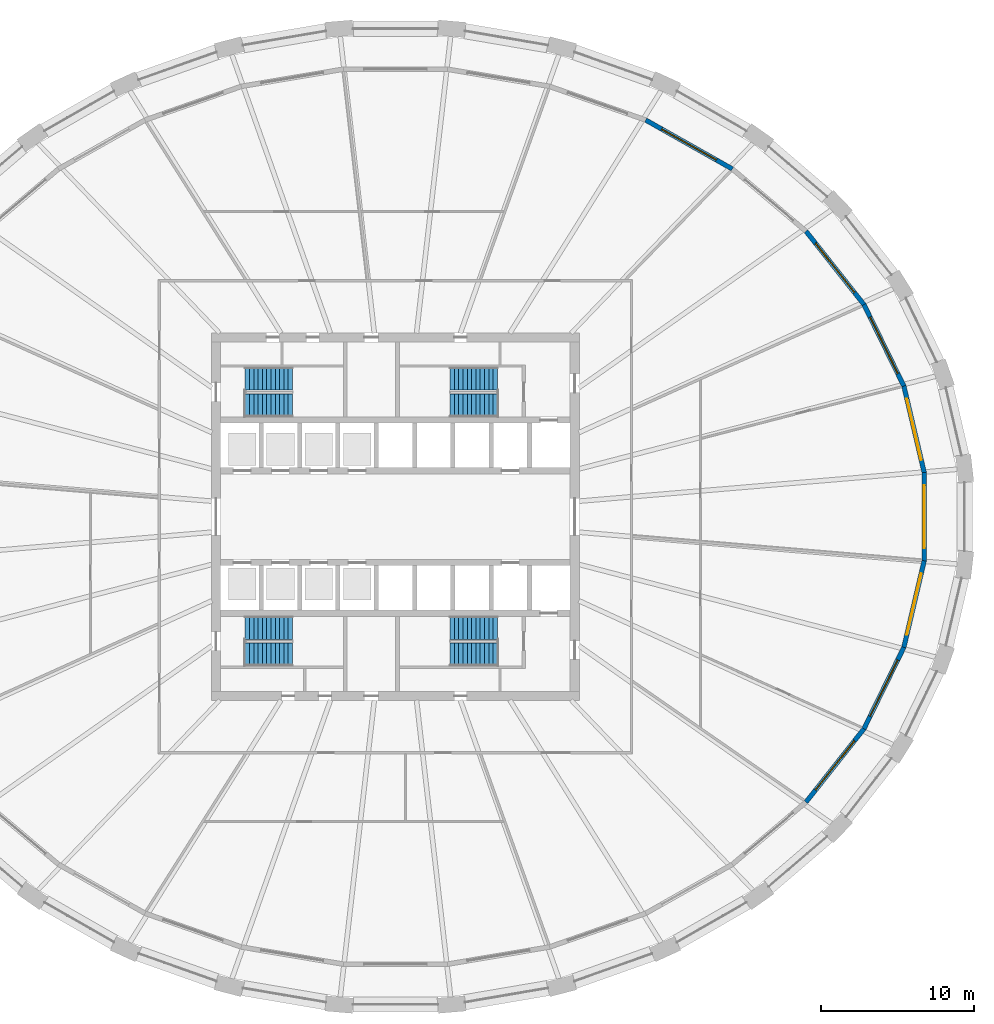
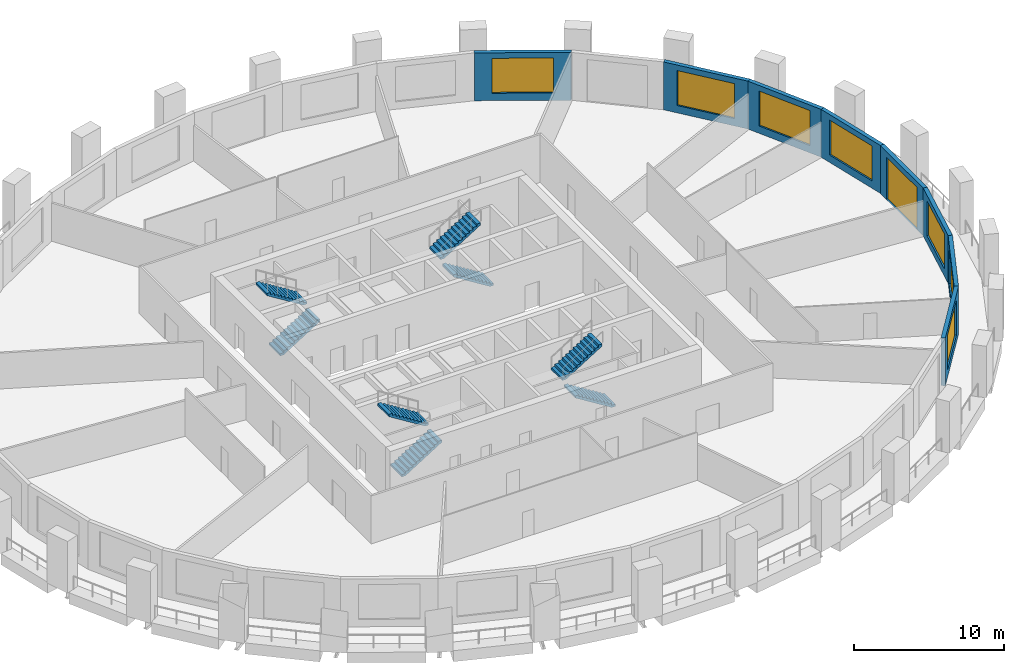
# One storey, part 7 of 10: 8 stair flights, 8 walls, 7 windows, 1 door, 8 openings, 4 elements without a shape of their own.
"""IFC4 building model written with IfcOpenShell, lengths in metres."""

from ifc_helpers import new_model, si_unit, direction, frame, frame_2d, origin, place, context, subcontext, project, spatial, polyline, rectangle, outline, extrude, material, layer, layer_set, type_object, element, fill, aggregate, save


model = new_model("IFC4")

# Units and contexts
model_context = context("Model", 3, precision=1e-05, world=origin(), true_north=direction((0.0, 1.0)))
body_context = subcontext(model_context, "Body", "Model", "MODEL_VIEW")
ifc_project = project(units=[si_unit("LENGTHUNIT", "METRE"), si_unit("AREAUNIT", "SQUARE_METRE"), si_unit("VOLUMEUNIT", "CUBIC_METRE"), si_unit("PLANEANGLEUNIT", "RADIAN"), si_unit("MASSUNIT", "GRAM", prefix="KILO")], contexts=[model_context])

# Site, building, storey
site_placement = place(None, origin())
site = spatial("IfcSite", under=ifc_project, at=site_placement, CompositionType="ELEMENT")
building_placement = place(site_placement, origin())
building = spatial("IfcBuilding", under=site, at=building_placement, Name="Halqa Exchange Tower", CompositionType="ELEMENT")
storey_placement = place(building_placement, frame((0.0, 0.0, 52.89990234375)))
storey = spatial("IfcBuildingStorey", under=building, at=storey_placement, Name="L11", CompositionType="ELEMENT", Elevation=52.89990234375)

# Wall, opening, window
ifc_material_1 = material(Name="Limestone cladding", Category="masonry")
ifc_layer_1 = layer(ifc_material_1, 0.0400390625)
ifc_material_2 = material(Name="Ventilated cavity")
ifc_layer_2 = layer(ifc_material_2, 0.030029296875, ventilated=True)
ifc_material_3 = material(Name="Mineral wool insulation")
ifc_layer_3 = layer(ifc_material_3, 0.10009765625)
ifc_material_4 = material(Name="Concrete C30/37", Category="concrete")
ifc_layer_4 = layer(ifc_material_4, 0.10009765625)
ifc_material_5 = material(Name="Internal plaster")
ifc_layer_5 = layer(ifc_material_5, 0.030029296875)
ifc_layer_set = layer_set([ifc_layer_1, ifc_layer_2, ifc_layer_3, ifc_layer_4, ifc_layer_5], Name="Stone-faced insulated wall 300")
wall_type = type_object("IfcWallType", Name="Stone-faced insulated wall 300", PredefinedType="STANDARD", material=ifc_layer_set)
wall_1_placement = place(storey_placement, frame((34.49951171875, 2.8779296875, 0.0), z_axis=(0.0, 0.0, 1.0), x_axis=(-0.228990053972, 0.973428762253, 0.0)))
wall_1 = element("IfcWall", 1, at=wall_1_placement, inside=storey, type_object=wall_type, Name="Glass-line wall 1", PredefinedType="STANDARD", context=body_context, shape_type="SweptSolid", body=[
    extrude(outline(polyline([(-0.017333984375, -0.14990234375), (5.815673828125, -0.14990234375), (5.781982421875, 0.14990234375), (0.017333984375, 0.14990234375), (-0.017333984375, -0.14990234375)])), origin(), (0.0, 0.0, 1.0), 3.900146484375),
])
opening_1_placement = place(wall_1_placement, frame((0.849365234375, 0.0, 0.60009765625)))
opening_1 = element("IfcOpeningElement", 2, at=opening_1_placement, cuts=wall_1, Name="Opening W-F1-01", PredefinedType="OPENING", context=body_context, shape_type="SweptSolid", body=[
    extrude(rectangle(XDim=4.10009765625, YDim=2.85009765625, at=frame_2d((2.050048828125, 1.425048828125))), frame((0.0, 0.162109375, 0.0), z_axis=(0.0, -1.0, 0.0), x_axis=(1.0, 0.0, 0.0)), (0.0, 0.0, 1.0), 0.323974609375),
])
ifc_material_6 = material(Name="Clear low-emissivity glass in aluminium frame", Category="aluminium")
window_type = type_object("IfcWindowType", Name="Fixed clear glazed window 4100 x 2850", PartitioningType="TRIPLE_PANEL_VERTICAL", PredefinedType="WINDOW", material=ifc_material_6)
window_1_placement = place(opening_1_placement, origin())
window_1 = element("IfcWindow", 3, at=window_1_placement, inside=storey, type_object=window_type, Name="Window 1", OverallHeight=2.85009765625, OverallWidth=4.10009765625, PartitioningType="TRIPLE_PANEL_VERTICAL", PredefinedType="WINDOW", context=body_context, shape_type="SweptSolid", body=[
    extrude(rectangle(XDim=4.10009765625, YDim=2.85009765625, at=frame_2d((2.050048828125, 1.425048828125))), frame((0.0, 0.030029296875, 0.0), z_axis=(0.0, -1.0, 0.0), x_axis=(1.0, 0.0, 0.0)), (0.0, 0.0, 1.0), 0.06005859375),
])
fill(opening_1, window_1)

wall_2_placement = place(storey_placement, frame((33.171630859375, 8.522705078125, 0.0), z_axis=(0.0, 0.0, 1.0), x_axis=(-0.439906146647, 0.898043752911, 0.0)))
wall_2 = element("IfcWall", 4, at=wall_2_placement, inside=storey, type_object=wall_type, Name="Glass-line wall 2", PredefinedType="STANDARD", context=body_context, shape_type="SweptSolid", body=[
    extrude(outline(polyline([(-0.016845703125, -0.14990234375), (5.93505859375, -0.14990234375), (5.90283203125, 0.14990234375), (0.016845703125, 0.14990234375), (-0.016845703125, -0.14990234375)])), origin(), (0.0, 0.0, 1.0), 3.900146484375),
])
opening_2_placement = place(wall_2_placement, frame((0.909423828125, 0.0, 0.60009765625)))
opening_2 = element("IfcOpeningElement", 5, at=opening_2_placement, cuts=wall_2, Name="Opening W-F1-02", PredefinedType="OPENING", context=body_context, shape_type="SweptSolid", body=[
    extrude(rectangle(XDim=4.10009765625, YDim=2.85009765625, at=frame_2d((2.050048828125, 1.425048828125))), frame((0.0, 0.162109375, 0.0), z_axis=(0.0, -1.0, 0.0), x_axis=(1.0, 0.0, 0.0)), (0.0, 0.0, 1.0), 0.323974609375),
])
window_2_placement = place(opening_2_placement, origin())
window_2 = element("IfcWindow", 6, at=window_2_placement, inside=storey, type_object=window_type, Name="Window 1", OverallHeight=2.85009765625, OverallWidth=4.10009765625, PartitioningType="TRIPLE_PANEL_VERTICAL", PredefinedType="WINDOW", context=body_context, shape_type="SweptSolid", body=[
    extrude(rectangle(XDim=4.10009765625, YDim=2.85009765625, at=frame_2d((2.050048828125, 1.425048828125))), frame((0.0, 0.030029296875, 0.0), z_axis=(0.0, -1.0, 0.0), x_axis=(1.0, 0.0, 0.0)), (0.0, 0.0, 1.0), 0.06005859375),
])
fill(opening_2, window_2)

wall_3_placement = place(storey_placement, frame((30.56787109375, 13.838134765625, 0.0), z_axis=(0.0, 0.0, 1.0), x_axis=(-0.619993638342, 0.78460683684, 0.0)))
wall_3 = element("IfcWall", 7, at=wall_3_placement, inside=storey, type_object=wall_type, Name="Glass-line wall 3", PredefinedType="STANDARD", context=body_context, shape_type="SweptSolid", body=[
    extrude(outline(polyline([(-0.01611328125, -0.14990234375), (6.109375, -0.14990234375), (6.0791015625, 0.14990234375), (0.01611328125, 0.14990234375), (-0.01611328125, -0.14990234375)])), origin(), (0.0, 0.0, 1.0), 3.900146484375),
])
opening_3_placement = place(wall_3_placement, frame((0.9970703125, 0.0, 0.60009765625)))
opening_3 = element("IfcOpeningElement", 8, at=opening_3_placement, cuts=wall_3, Name="Opening W-F1-03", PredefinedType="OPENING", context=body_context, shape_type="SweptSolid", body=[
    extrude(rectangle(XDim=4.10009765625, YDim=2.85009765625, at=frame_2d((2.050048828125, 1.425048828125))), frame((0.0, 0.162109375, 0.0), z_axis=(0.0, -1.0, 0.0), x_axis=(1.0, 0.0, 0.0)), (0.0, 0.0, 1.0), 0.323974609375),
])
window_3_placement = place(opening_3_placement, origin())
window_3 = element("IfcWindow", 9, at=window_3_placement, inside=storey, type_object=window_type, Name="Window 1", OverallHeight=2.85009765625, OverallWidth=4.10009765625, PartitioningType="TRIPLE_PANEL_VERTICAL", PredefinedType="WINDOW", context=body_context, shape_type="SweptSolid", body=[
    extrude(rectangle(XDim=4.10009765625, YDim=2.85009765625, at=frame_2d((2.050048828125, 1.425048828125))), frame((0.0, 0.030029296875, 0.0), z_axis=(0.0, -1.0, 0.0), x_axis=(1.0, 0.0, 0.0)), (0.0, 0.0, 1.0), 0.06005859375),
])
fill(opening_3, window_3)

wall_4_placement = place(storey_placement, frame((21.982666015625, 22.68408203125, 0.0), z_axis=(0.0, 0.0, 1.0), x_axis=(-0.870647609977, 0.491907246584, 0.0)))
wall_4 = element("IfcWall", 10, at=wall_4_placement, inside=storey, type_object=wall_type, Name="Glass-line wall 5", PredefinedType="STANDARD", context=body_context, shape_type="SweptSolid", body=[
    extrude(outline(polyline([(-0.01416015625, -0.14990234375), (6.502685546875, -0.14990234375), (6.475830078125, 0.14990234375), (0.01416015625, 0.14990234375), (-0.01416015625, -0.14990234375)])), origin(), (0.0, 0.0, 1.0), 3.900146484375),
])
opening_4_placement = place(wall_4_placement, frame((1.194580078125, 0.0, 0.60009765625)))
opening_4 = element("IfcOpeningElement", 11, at=opening_4_placement, cuts=wall_4, Name="Opening W-F1-05", PredefinedType="OPENING", context=body_context, shape_type="SweptSolid", body=[
    extrude(rectangle(XDim=4.10009765625, YDim=2.85009765625, at=frame_2d((2.050048828125, 1.425048828125))), frame((0.0, 0.162109375, 0.0), z_axis=(0.0, -1.0, 0.0), x_axis=(1.0, 0.0, 0.0)), (0.0, 0.0, 1.0), 0.323974609375),
])
window_4_placement = place(opening_4_placement, origin())
window_4 = element("IfcWindow", 12, at=window_4_placement, inside=storey, type_object=window_type, Name="Window 1", OverallHeight=2.85009765625, OverallWidth=4.10009765625, PartitioningType="TRIPLE_PANEL_VERTICAL", PredefinedType="WINDOW", context=body_context, shape_type="SweptSolid", body=[
    extrude(rectangle(XDim=4.10009765625, YDim=2.85009765625, at=frame_2d((2.050048828125, 1.425048828125))), frame((0.0, 0.030029296875, 0.0), z_axis=(0.0, -1.0, 0.0), x_axis=(1.0, 0.0, 0.0)), (0.0, 0.0, 1.0), 0.06005859375),
])
fill(opening_4, window_4)

wall_5_placement = place(storey_placement, frame((26.78955078125, -18.61962890625, 0.0), z_axis=(0.0, 0.0, 1.0), x_axis=(0.619993638342, 0.78460683684, 0.0)))
wall_5 = element("IfcWall", 13, at=wall_5_placement, inside=storey, type_object=wall_type, Name="Glass-line wall 29", PredefinedType="STANDARD", context=body_context, shape_type="SweptSolid", body=[
    extrude(outline(polyline([(-0.01513671875, -0.14990234375), (6.1103515625, -0.14990234375), (6.078125, 0.14990234375), (0.01513671875, 0.14990234375), (-0.01513671875, -0.14990234375)])), origin(), (0.0, 0.0, 1.0), 3.900146484375),
])
opening_5_placement = place(wall_5_placement, frame((0.9970703125, 0.0, 0.60009765625)))
opening_5 = element("IfcOpeningElement", 14, at=opening_5_placement, cuts=wall_5, Name="Opening W-F1-29", PredefinedType="OPENING", context=body_context, shape_type="SweptSolid", body=[
    extrude(rectangle(XDim=4.10009765625, YDim=2.85009765625, at=frame_2d((2.050048828125, 1.425048828125))), frame((0.0, 0.162109375, 0.0), z_axis=(0.0, -1.0, 0.0), x_axis=(1.0, 0.0, 0.0)), (0.0, 0.0, 1.0), 0.323974609375),
])
window_5_placement = place(opening_5_placement, origin())
window_5 = element("IfcWindow", 15, at=window_5_placement, inside=storey, type_object=window_type, Name="Window 1", OverallHeight=2.85009765625, OverallWidth=4.10009765625, PartitioningType="TRIPLE_PANEL_VERTICAL", PredefinedType="WINDOW", context=body_context, shape_type="SweptSolid", body=[
    extrude(rectangle(XDim=4.10009765625, YDim=2.85009765625, at=frame_2d((2.050048828125, 1.425048828125))), frame((0.0, 0.030029296875, 0.0), z_axis=(0.0, -1.0, 0.0), x_axis=(1.0, 0.0, 0.0)), (0.0, 0.0, 1.0), 0.06005859375),
])
fill(opening_5, window_5)

wall_6_placement = place(storey_placement, frame((30.56787109375, -13.838134765625, 0.0), z_axis=(0.0, 0.0, 1.0), x_axis=(0.439906146647, 0.898043752911, 0.0)))
wall_6 = element("IfcWall", 16, at=wall_6_placement, inside=storey, type_object=wall_type, Name="Glass-line wall 30", PredefinedType="STANDARD", context=body_context, shape_type="SweptSolid", body=[
    extrude(outline(polyline([(-0.01611328125, -0.14990234375), (5.935791015625, -0.14990234375), (5.902099609375, 0.14990234375), (0.01611328125, 0.14990234375), (-0.01611328125, -0.14990234375)])), origin(), (0.0, 0.0, 1.0), 3.900146484375),
])
opening_6_placement = place(wall_6_placement, frame((0.909423828125, 0.0, 0.60009765625)))
opening_6 = element("IfcOpeningElement", 17, at=opening_6_placement, cuts=wall_6, Name="Opening W-F1-30", PredefinedType="OPENING", context=body_context, shape_type="SweptSolid", body=[
    extrude(rectangle(XDim=4.10009765625, YDim=2.85009765625, at=frame_2d((2.050048828125, 1.425048828125))), frame((0.0, 0.162109375, 0.0), z_axis=(0.0, -1.0, 0.0), x_axis=(1.0, 0.0, 0.0)), (0.0, 0.0, 1.0), 0.323974609375),
])
window_6_placement = place(opening_6_placement, origin())
window_6 = element("IfcWindow", 18, at=window_6_placement, inside=storey, type_object=window_type, Name="Window 1", OverallHeight=2.85009765625, OverallWidth=4.10009765625, PartitioningType="TRIPLE_PANEL_VERTICAL", PredefinedType="WINDOW", context=body_context, shape_type="SweptSolid", body=[
    extrude(rectangle(XDim=4.10009765625, YDim=2.85009765625, at=frame_2d((2.050048828125, 1.425048828125))), frame((0.0, 0.030029296875, 0.0), z_axis=(0.0, -1.0, 0.0), x_axis=(1.0, 0.0, 0.0)), (0.0, 0.0, 1.0), 0.06005859375),
])
fill(opening_6, window_6)

wall_7_placement = place(storey_placement, frame((33.171630859375, -8.522705078125, 0.0), z_axis=(0.0, 0.0, 1.0), x_axis=(0.228990053972, 0.973428762253, 0.0)))
wall_7 = element("IfcWall", 19, at=wall_7_placement, inside=storey, type_object=wall_type, Name="Glass-line wall 31", PredefinedType="STANDARD", context=body_context, shape_type="SweptSolid", body=[
    extrude(outline(polyline([(-0.016845703125, -0.14990234375), (5.816162109375, -0.14990234375), (5.781494140625, 0.14990234375), (0.016845703125, 0.14990234375), (-0.016845703125, -0.14990234375)])), origin(), (0.0, 0.0, 1.0), 3.900146484375),
])
opening_7_placement = place(wall_7_placement, frame((0.849365234375, 0.0, 0.60009765625)))
opening_7 = element("IfcOpeningElement", 20, at=opening_7_placement, cuts=wall_7, Name="Opening W-F1-31", PredefinedType="OPENING", context=body_context, shape_type="SweptSolid", body=[
    extrude(rectangle(XDim=4.10009765625, YDim=2.85009765625, at=frame_2d((2.050048828125, 1.425048828125))), frame((0.0, 0.162109375, 0.0), z_axis=(0.0, -1.0, 0.0), x_axis=(1.0, 0.0, 0.0)), (0.0, 0.0, 1.0), 0.323974609375),
])
window_7_placement = place(opening_7_placement, origin())
window_7 = element("IfcWindow", 21, at=window_7_placement, inside=storey, type_object=window_type, Name="Window 1", OverallHeight=2.85009765625, OverallWidth=4.10009765625, PartitioningType="TRIPLE_PANEL_VERTICAL", PredefinedType="WINDOW", context=body_context, shape_type="SweptSolid", body=[
    extrude(rectangle(XDim=4.10009765625, YDim=2.85009765625, at=frame_2d((2.050048828125, 1.425048828125))), frame((0.0, 0.030029296875, 0.0), z_axis=(0.0, -1.0, 0.0), x_axis=(1.0, 0.0, 0.0)), (0.0, 0.0, 1.0), 0.06005859375),
])
fill(opening_7, window_7)

# Wall, opening, door
wall_8_placement = place(storey_placement, frame((34.49951171875, -2.8779296875, 0.0), z_axis=(0.0, 0.0, 1.0), x_axis=(0.0, 1.0, 0.0)))
wall_8 = element("IfcWall", 22, at=wall_8_placement, inside=storey, type_object=wall_type, Name="Glass-line wall 32", PredefinedType="STANDARD", context=body_context, shape_type="SweptSolid", body=[
    extrude(outline(polyline([(-0.017333984375, -0.14990234375), (5.773193359375, -0.14990234375), (5.738525390625, 0.14990234375), (0.017333984375, 0.14990234375), (-0.017333984375, -0.14990234375)])), origin(), (0.0, 0.0, 1.0), 3.900146484375),
])
opening_8_placement = place(wall_8_placement, frame((0.827880859375, 0.0, 0.0)))
opening_8 = element("IfcOpeningElement", 23, at=opening_8_placement, cuts=wall_8, Name="Opening LG-F1-08", PredefinedType="OPENING", context=body_context, shape_type="SweptSolid", body=[
    extrude(rectangle(XDim=4.10009765625, YDim=3.449951171875, at=frame_2d((2.050048828125, 1.72509765625))), frame((0.0, 0.162109375, 0.0), z_axis=(0.0, -1.0, 0.0), x_axis=(1.0, 0.0, 0.0)), (0.0, 0.0, 1.0), 0.323974609375),
])
door_type = type_object("IfcDoorType", Name="Glazed sliding loggia door 4100 x 3450", OperationType="DOUBLE_DOOR_SLIDING", PredefinedType="DOOR", material=ifc_material_6)
door_placement = place(opening_8_placement, origin())
door = element("IfcDoor", 24, at=door_placement, inside=storey, type_object=door_type, Name="Loggia door 8", OperationType="DOUBLE_DOOR_SLIDING", OverallHeight=3.449951171875, OverallWidth=4.10009765625, PredefinedType="DOOR", context=body_context, shape_type="SweptSolid", body=[
    extrude(rectangle(XDim=4.10009765625, YDim=3.449951171875, at=frame_2d((2.050048828125, 1.72509765625))), frame((0.0, 0.02490234375, 0.0), z_axis=(0.0, -1.0, 0.0), x_axis=(1.0, 0.0, 0.0)), (0.0, 0.0, 1.0), 0.050048828125),
])
fill(opening_8, door)

# Stair, stair flights
stair_type = type_object("IfcStairType", Name="Exit stair 1500 wide", PredefinedType="HALF_TURN_STAIR", material=ifc_material_4)
stair_1_placement = place(storey_placement, origin())
stair_1 = element("IfcStair", 25, at=stair_1_placement, inside=storey, type_object=stair_type, Name="Exit stair ST1", PredefinedType="HALF_TURN_STAIR")
stair_flight_type = type_object("IfcStairFlightType", Name="Stair flight 1500 wide", PredefinedType="STRAIGHT", material=ifc_material_4)
stair_flight_1_placement = place(storey_placement, frame((-9.800048828125, 7.25, 0.0), z_axis=(0.0, 0.0, 1.0), x_axis=(1.0, 0.0, 0.0)))
stair_flight_1 = element("IfcStairFlight", 26, at=stair_flight_1_placement, type_object=stair_flight_type, Name="ST1 flight 1", NumberOfRisers=12, NumberOfTreads=11, PredefinedType="STRAIGHT", RiserHeight=0.175, TreadLength=0.28, context=body_context, shape_type="SweptSolid", body=[
    extrude(outline(polyline([(0.0, 0.0), (0.0, 0.175048828125), (0.280029296875, 0.175048828125), (0.280029296875, 0.35009765625), (0.56005859375, 0.35009765625), (0.56005859375, 0.52490234375), (0.840087890625, 0.52490234375), (0.840087890625, 0.699951171875), (1.1201171875, 0.699951171875), (1.1201171875, 0.875), (1.39990234375, 0.875), (1.39990234375, 1.050048828125), (1.679931640625, 1.050048828125), (1.679931640625, 1.22509765625), (1.9599609375, 1.22509765625), (1.9599609375, 1.39990234375), (2.239990234375, 1.39990234375), (2.239990234375, 1.574951171875), (2.52001953125, 1.574951171875), (2.52001953125, 1.75), (2.800048828125, 1.75), (2.800048828125, 1.925048828125), (3.080078125, 1.925048828125), (3.080078125, 2.10009765625), (3.080078125, 1.748291015625), (0.28271484375, 0.0), (0.0, 0.0)])), frame((0.0, 0.75, 0.0), z_axis=(0.0, -1.0, 0.0), x_axis=(1.0, 0.0, 0.0)), (0.0, 0.0, 1.0), 1.5),
])
stair_flight_2_placement = place(storey_placement, frame((-6.719970703125, 9.0, 2.10009765625), z_axis=(0.0, 0.0, 1.0), x_axis=(-1.0, 0.0, 0.0)))
stair_flight_2 = element("IfcStairFlight", 27, at=stair_flight_2_placement, type_object=stair_flight_type, Name="ST1 flight 2", NumberOfRisers=12, NumberOfTreads=11, PredefinedType="STRAIGHT", RiserHeight=0.175, TreadLength=0.28, context=body_context, shape_type="SweptSolid", body=[
    extrude(outline(polyline([(0.0, 0.0), (0.0, 0.175048828125), (0.280029296875, 0.175048828125), (0.280029296875, 0.35009765625), (0.56005859375, 0.35009765625), (0.56005859375, 0.52490234375), (0.840087890625, 0.52490234375), (0.840087890625, 0.699951171875), (1.1201171875, 0.699951171875), (1.1201171875, 0.875), (1.39990234375, 0.875), (1.39990234375, 1.050048828125), (1.679931640625, 1.050048828125), (1.679931640625, 1.22509765625), (1.9599609375, 1.22509765625), (1.9599609375, 1.39990234375), (2.239990234375, 1.39990234375), (2.239990234375, 1.574951171875), (2.52001953125, 1.574951171875), (2.52001953125, 1.75), (2.800048828125, 1.75), (2.800048828125, 1.925048828125), (3.080078125, 1.925048828125), (3.080078125, 2.10009765625), (3.080078125, 1.748291015625), (0.28271484375, 0.0), (0.0, 0.0)])), frame((0.0, 0.75, 0.0), z_axis=(0.0, -1.0, 0.0), x_axis=(1.0, 0.0, 0.0)), (0.0, 0.0, 1.0), 1.5),
])
aggregate(stair_1, [stair_flight_1, stair_flight_2])

stair_2_placement = place(storey_placement, origin())
stair_2 = element("IfcStair", 28, at=stair_2_placement, inside=storey, type_object=stair_type, Name="Exit stair ST2", PredefinedType="HALF_TURN_STAIR")
stair_flight_3_placement = place(storey_placement, frame((6.64990234375, 7.25, 0.0), z_axis=(0.0, 0.0, 1.0), x_axis=(-1.0, 0.0, 0.0)))
stair_flight_3 = element("IfcStairFlight", 29, at=stair_flight_3_placement, type_object=stair_flight_type, Name="ST2 flight 1", NumberOfRisers=12, NumberOfTreads=11, PredefinedType="STRAIGHT", RiserHeight=0.175, TreadLength=0.28, context=body_context, shape_type="SweptSolid", body=[
    extrude(outline(polyline([(0.0, 0.0), (0.0, 0.175048828125), (0.280029296875, 0.175048828125), (0.280029296875, 0.35009765625), (0.56005859375, 0.35009765625), (0.56005859375, 0.52490234375), (0.840087890625, 0.52490234375), (0.840087890625, 0.699951171875), (1.1201171875, 0.699951171875), (1.1201171875, 0.875), (1.39990234375, 0.875), (1.39990234375, 1.050048828125), (1.679931640625, 1.050048828125), (1.679931640625, 1.22509765625), (1.9599609375, 1.22509765625), (1.9599609375, 1.39990234375), (2.239990234375, 1.39990234375), (2.239990234375, 1.574951171875), (2.52001953125, 1.574951171875), (2.52001953125, 1.75), (2.800048828125, 1.75), (2.800048828125, 1.925048828125), (3.080078125, 1.925048828125), (3.080078125, 2.10009765625), (3.080078125, 1.748291015625), (0.28271484375, 0.0), (0.0, 0.0)])), frame((0.0, 0.75, 0.0), z_axis=(0.0, -1.0, 0.0), x_axis=(1.0, 0.0, 0.0)), (0.0, 0.0, 1.0), 1.5),
])
stair_flight_4_placement = place(storey_placement, frame((3.570068359375, 9.0, 2.10009765625), z_axis=(0.0, 0.0, 1.0), x_axis=(1.0, 0.0, 0.0)))
stair_flight_4 = element("IfcStairFlight", 30, at=stair_flight_4_placement, type_object=stair_flight_type, Name="ST2 flight 2", NumberOfRisers=12, NumberOfTreads=11, PredefinedType="STRAIGHT", RiserHeight=0.175, TreadLength=0.28, context=body_context, shape_type="SweptSolid", body=[
    extrude(outline(polyline([(0.0, 0.0), (0.0, 0.175048828125), (0.280029296875, 0.175048828125), (0.280029296875, 0.35009765625), (0.56005859375, 0.35009765625), (0.56005859375, 0.52490234375), (0.840087890625, 0.52490234375), (0.840087890625, 0.699951171875), (1.1201171875, 0.699951171875), (1.1201171875, 0.875), (1.39990234375, 0.875), (1.39990234375, 1.050048828125), (1.679931640625, 1.050048828125), (1.679931640625, 1.22509765625), (1.9599609375, 1.22509765625), (1.9599609375, 1.39990234375), (2.239990234375, 1.39990234375), (2.239990234375, 1.574951171875), (2.52001953125, 1.574951171875), (2.52001953125, 1.75), (2.800048828125, 1.75), (2.800048828125, 1.925048828125), (3.080078125, 1.925048828125), (3.080078125, 2.10009765625), (3.080078125, 1.748291015625), (0.28271484375, 0.0), (0.0, 0.0)])), frame((0.0, 0.75, 0.0), z_axis=(0.0, -1.0, 0.0), x_axis=(1.0, 0.0, 0.0)), (0.0, 0.0, 1.0), 1.5),
])
aggregate(stair_2, [stair_flight_3, stair_flight_4])

stair_3_placement = place(storey_placement, origin())
stair_3 = element("IfcStair", 31, at=stair_3_placement, inside=storey, type_object=stair_type, Name="Exit stair ST3", PredefinedType="HALF_TURN_STAIR")
stair_flight_5_placement = place(storey_placement, frame((-9.800048828125, -9.0, 0.0), z_axis=(0.0, 0.0, 1.0), x_axis=(1.0, 0.0, 0.0)))
stair_flight_5 = element("IfcStairFlight", 32, at=stair_flight_5_placement, type_object=stair_flight_type, Name="ST3 flight 1", NumberOfRisers=12, NumberOfTreads=11, PredefinedType="STRAIGHT", RiserHeight=0.175, TreadLength=0.28, context=body_context, shape_type="SweptSolid", body=[
    extrude(outline(polyline([(0.0, 0.0), (0.0, 0.175048828125), (0.280029296875, 0.175048828125), (0.280029296875, 0.35009765625), (0.56005859375, 0.35009765625), (0.56005859375, 0.52490234375), (0.840087890625, 0.52490234375), (0.840087890625, 0.699951171875), (1.1201171875, 0.699951171875), (1.1201171875, 0.875), (1.39990234375, 0.875), (1.39990234375, 1.050048828125), (1.679931640625, 1.050048828125), (1.679931640625, 1.22509765625), (1.9599609375, 1.22509765625), (1.9599609375, 1.39990234375), (2.239990234375, 1.39990234375), (2.239990234375, 1.574951171875), (2.52001953125, 1.574951171875), (2.52001953125, 1.75), (2.800048828125, 1.75), (2.800048828125, 1.925048828125), (3.080078125, 1.925048828125), (3.080078125, 2.10009765625), (3.080078125, 1.748291015625), (0.28271484375, 0.0), (0.0, 0.0)])), frame((0.0, 0.75, 0.0), z_axis=(0.0, -1.0, 0.0), x_axis=(1.0, 0.0, 0.0)), (0.0, 0.0, 1.0), 1.5),
])
stair_flight_6_placement = place(storey_placement, frame((-6.719970703125, -7.25, 2.10009765625), z_axis=(0.0, 0.0, 1.0), x_axis=(-1.0, 0.0, 0.0)))
stair_flight_6 = element("IfcStairFlight", 33, at=stair_flight_6_placement, type_object=stair_flight_type, Name="ST3 flight 2", NumberOfRisers=12, NumberOfTreads=11, PredefinedType="STRAIGHT", RiserHeight=0.175, TreadLength=0.28, context=body_context, shape_type="SweptSolid", body=[
    extrude(outline(polyline([(0.0, 0.0), (0.0, 0.175048828125), (0.280029296875, 0.175048828125), (0.280029296875, 0.35009765625), (0.56005859375, 0.35009765625), (0.56005859375, 0.52490234375), (0.840087890625, 0.52490234375), (0.840087890625, 0.699951171875), (1.1201171875, 0.699951171875), (1.1201171875, 0.875), (1.39990234375, 0.875), (1.39990234375, 1.050048828125), (1.679931640625, 1.050048828125), (1.679931640625, 1.22509765625), (1.9599609375, 1.22509765625), (1.9599609375, 1.39990234375), (2.239990234375, 1.39990234375), (2.239990234375, 1.574951171875), (2.52001953125, 1.574951171875), (2.52001953125, 1.75), (2.800048828125, 1.75), (2.800048828125, 1.925048828125), (3.080078125, 1.925048828125), (3.080078125, 2.10009765625), (3.080078125, 1.748291015625), (0.28271484375, 0.0), (0.0, 0.0)])), frame((0.0, 0.75, 0.0), z_axis=(0.0, -1.0, 0.0), x_axis=(1.0, 0.0, 0.0)), (0.0, 0.0, 1.0), 1.5),
])
aggregate(stair_3, [stair_flight_5, stair_flight_6])

stair_4_placement = place(storey_placement, origin())
stair_4 = element("IfcStair", 34, at=stair_4_placement, inside=storey, type_object=stair_type, Name="Exit stair ST4", PredefinedType="HALF_TURN_STAIR")
stair_flight_7_placement = place(storey_placement, frame((6.64990234375, -9.0, 0.0), z_axis=(0.0, 0.0, 1.0), x_axis=(-1.0, 0.0, 0.0)))
stair_flight_7 = element("IfcStairFlight", 35, at=stair_flight_7_placement, type_object=stair_flight_type, Name="ST4 flight 1", NumberOfRisers=12, NumberOfTreads=11, PredefinedType="STRAIGHT", RiserHeight=0.175, TreadLength=0.28, context=body_context, shape_type="SweptSolid", body=[
    extrude(outline(polyline([(0.0, 0.0), (0.0, 0.175048828125), (0.280029296875, 0.175048828125), (0.280029296875, 0.35009765625), (0.56005859375, 0.35009765625), (0.56005859375, 0.52490234375), (0.840087890625, 0.52490234375), (0.840087890625, 0.699951171875), (1.1201171875, 0.699951171875), (1.1201171875, 0.875), (1.39990234375, 0.875), (1.39990234375, 1.050048828125), (1.679931640625, 1.050048828125), (1.679931640625, 1.22509765625), (1.9599609375, 1.22509765625), (1.9599609375, 1.39990234375), (2.239990234375, 1.39990234375), (2.239990234375, 1.574951171875), (2.52001953125, 1.574951171875), (2.52001953125, 1.75), (2.800048828125, 1.75), (2.800048828125, 1.925048828125), (3.080078125, 1.925048828125), (3.080078125, 2.10009765625), (3.080078125, 1.748291015625), (0.28271484375, 0.0), (0.0, 0.0)])), frame((0.0, 0.75, 0.0), z_axis=(0.0, -1.0, 0.0), x_axis=(1.0, 0.0, 0.0)), (0.0, 0.0, 1.0), 1.5),
])
stair_flight_8_placement = place(storey_placement, frame((3.570068359375, -7.25, 2.10009765625), z_axis=(0.0, 0.0, 1.0), x_axis=(1.0, 0.0, 0.0)))
stair_flight_8 = element("IfcStairFlight", 36, at=stair_flight_8_placement, type_object=stair_flight_type, Name="ST4 flight 2", NumberOfRisers=12, NumberOfTreads=11, PredefinedType="STRAIGHT", RiserHeight=0.175, TreadLength=0.28, context=body_context, shape_type="SweptSolid", body=[
    extrude(outline(polyline([(0.0, 0.0), (0.0, 0.175048828125), (0.280029296875, 0.175048828125), (0.280029296875, 0.35009765625), (0.56005859375, 0.35009765625), (0.56005859375, 0.52490234375), (0.840087890625, 0.52490234375), (0.840087890625, 0.699951171875), (1.1201171875, 0.699951171875), (1.1201171875, 0.875), (1.39990234375, 0.875), (1.39990234375, 1.050048828125), (1.679931640625, 1.050048828125), (1.679931640625, 1.22509765625), (1.9599609375, 1.22509765625), (1.9599609375, 1.39990234375), (2.239990234375, 1.39990234375), (2.239990234375, 1.574951171875), (2.52001953125, 1.574951171875), (2.52001953125, 1.75), (2.800048828125, 1.75), (2.800048828125, 1.925048828125), (3.080078125, 1.925048828125), (3.080078125, 2.10009765625), (3.080078125, 1.748291015625), (0.28271484375, 0.0), (0.0, 0.0)])), frame((0.0, 0.75, 0.0), z_axis=(0.0, -1.0, 0.0), x_axis=(1.0, 0.0, 0.0)), (0.0, 0.0, 1.0), 1.5),
])
aggregate(stair_4, [stair_flight_7, stair_flight_8])

save(model, "model.ifc")
